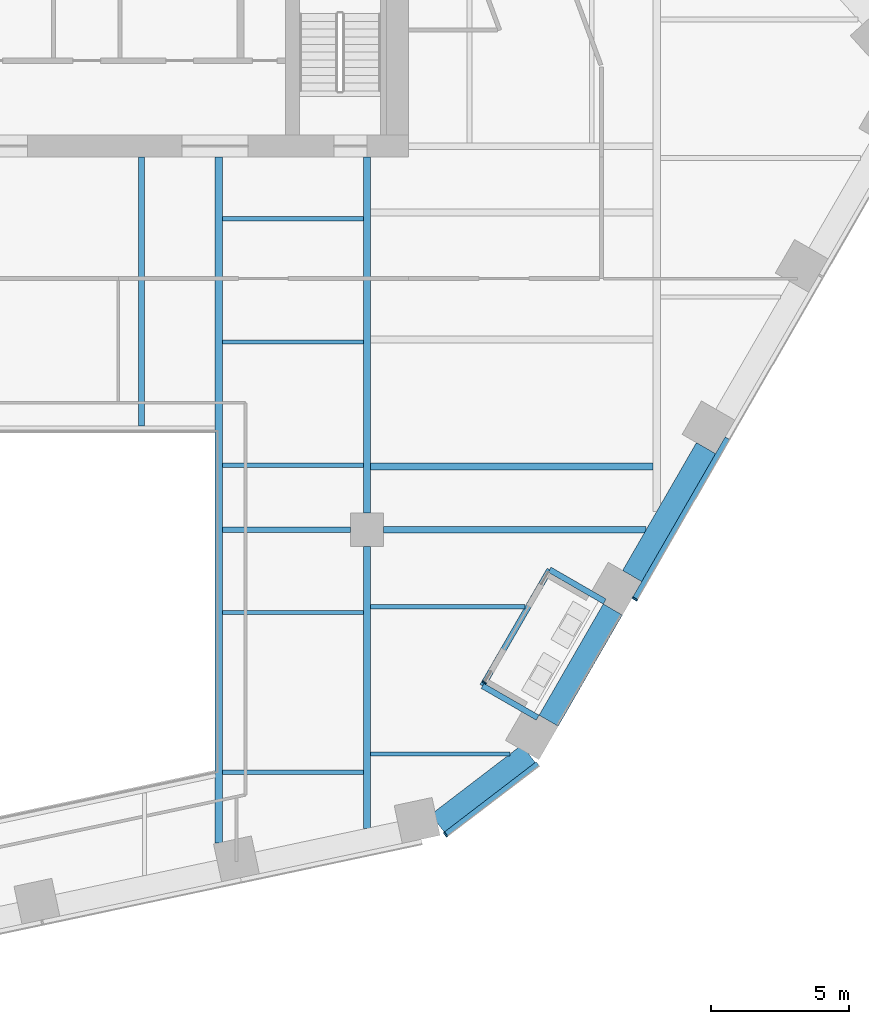
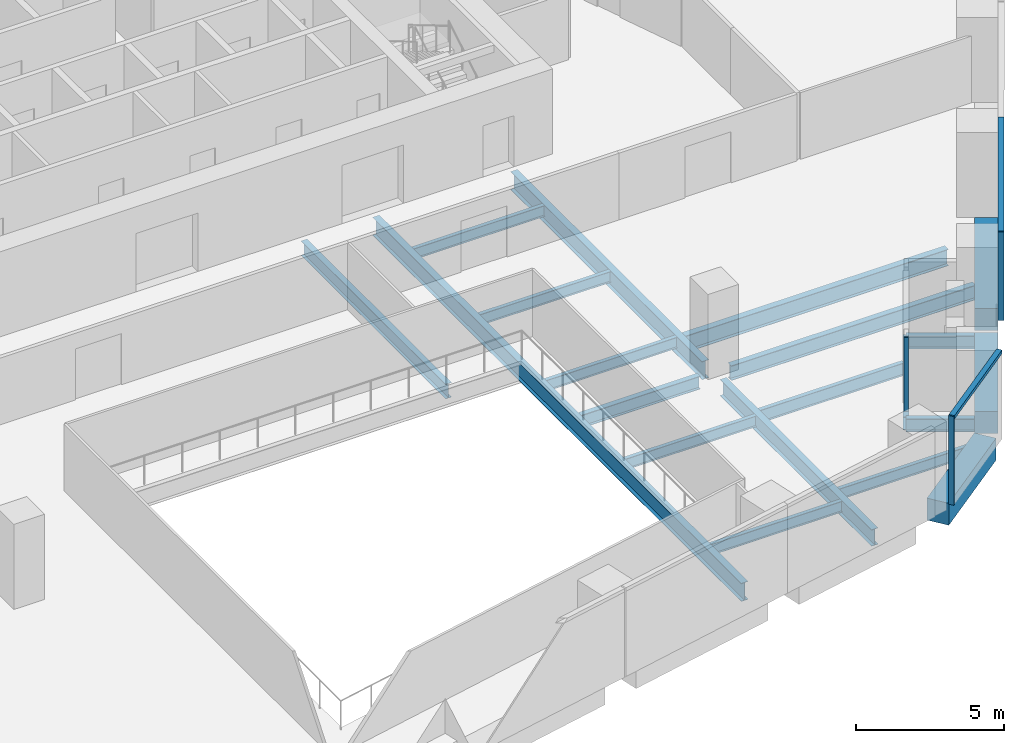
# One storey, part 5 of 24: 20 beams, 5 members, 3 elements without a shape of their own.
"""IFC4 building model written with IfcOpenShell, lengths in metres."""

from ifc_helpers import new_model, si_unit, direction, frame, origin, origin_2d, place, context, subcontext, project, spatial, rectangle, i_section, extrude, material, layer, layer_set, material_profile, profile_set, type_object, element, aggregate, save


model = new_model("IFC4")

# Units and contexts
model_context = context("Model", 3, precision=1e-05, world=origin(), true_north=direction((0.0, 1.0)))
body_context = subcontext(model_context, "Body", "Model", "MODEL_VIEW")
ifc_project = project(units=[si_unit("LENGTHUNIT", "METRE"), si_unit("AREAUNIT", "SQUARE_METRE"), si_unit("VOLUMEUNIT", "CUBIC_METRE"), si_unit("PLANEANGLEUNIT", "RADIAN"), si_unit("MASSUNIT", "GRAM", prefix="KILO")], contexts=[model_context])

# Site, building, storey
site_placement = place(None, origin())
site = spatial("IfcSite", under=ifc_project, at=site_placement, CompositionType="ELEMENT")
building_placement = place(site_placement, origin())
building = spatial("IfcBuilding", under=site, at=building_placement, Name="Isthmus Gate Tower", CompositionType="ELEMENT")
storey_placement = place(building_placement, frame((0.0, 0.0, 159.0)))
storey = spatial("IfcBuildingStorey", under=building, at=storey_placement, Name="L39", CompositionType="ELEMENT", Elevation=159.0)

# Curtain wall, member
ifc_material_1 = material(Name="Aluminium, pale champagne anodised", Category="aluminium")
ifc_layer_1 = layer(ifc_material_1, 0.199951171875)
ifc_layer_set_1 = layer_set([ifc_layer_1], Name="CW-1 UNITISED CURTAIN WALL 200 DEEP")
curtain_wall_type_1 = type_object("IfcCurtainWallType", Name="CW-1 UNITISED CURTAIN WALL 200 DEEP", PredefinedType="NOTDEFINED", material=ifc_layer_set_1)
curtain_wall_1_placement = place(storey_placement, origin())
curtain_wall_1 = element("IfcCurtainWall", 1, at=curtain_wall_1_placement, inside=storey, type_object=curtain_wall_type_1, Name="CW-1 S-SE L39", PredefinedType="NOTDEFINED")
ifc_material_2 = material(Name="Aluminium, pale champagne anodised", Category="aluminium")
ifc_material_profile_1 = material_profile(ifc_material_2, rectangle(XDim=0.06005859375, YDim=0.199951171875, at=origin_2d()), Name="60x200")
ifc_profile_set_1 = profile_set([ifc_material_profile_1], Name="Aluminium, pale champagne anodised")
member_type_1 = type_object("IfcMemberType", Name="CW-1 MULLION 60 X 200", PredefinedType="MULLION", material=ifc_profile_set_1)
member_1_placement = place(storey_placement, frame((16.346435546875, -24.5419921875, 0.0), z_axis=(0.0, 0.0, 1.0), x_axis=(0.794188594387, 0.607671355706, 0.0)))
member_1 = element("IfcMember", 2, at=member_1_placement, type_object=member_type_1, Name="CW-1 mullion", PredefinedType="MULLION", context=body_context, shape_type="SweptSolid", body=[
    extrude(rectangle(XDim=0.06005859375, YDim=0.199951171875, at=origin_2d()), origin(), (0.0, 0.0, 1.0), 3.64990234375),
])

curtain_wall_2_placement = place(storey_placement, origin())
curtain_wall_2 = element("IfcCurtainWall", 3, at=curtain_wall_2_placement, inside=storey, type_object=curtain_wall_type_1, Name="CW-1 SE L39", PredefinedType="NOTDEFINED")
member_2_placement = place(storey_placement, frame((23.2060546875, -16.005859375, 0.0), z_axis=(0.0, 0.0, 1.0), x_axis=(0.5, 0.866025403784, 0.0)))
member_2 = element("IfcMember", 4, at=member_2_placement, type_object=member_type_1, Name="CW-1 mullion", PredefinedType="MULLION", context=body_context, shape_type="SweptSolid", body=[
    extrude(rectangle(XDim=0.06005859375, YDim=0.199951171875, at=origin_2d()), origin(), (0.0, 0.0, 1.0), 3.64990234375),
])

# Member
ifc_material_3 = material(Name="Aluminium, pale champagne anodised", Category="aluminium")
ifc_material_profile_2 = material_profile(ifc_material_3, rectangle(XDim=0.199951171875, YDim=0.139892578125, at=origin_2d()), Name="200x140")
ifc_profile_set_2 = profile_set([ifc_material_profile_2], Name="Aluminium, pale champagne anodised")
member_type_2 = type_object("IfcMemberType", Name="CW-1 TRANSOM 200 X 140", PredefinedType="USERDEFINED", material=ifc_profile_set_2)
member_3_placement = place(storey_placement, frame((16.3701171875, -24.52392578125, 3.580078125), z_axis=(0.79419705805, 0.607660294066, 0.0), x_axis=(-0.607660294066, 0.79419705805, 0.0)))
member_3 = element("IfcMember", 5, at=member_3_placement, type_object=member_type_2, Name="CW-1 transom", ObjectType="TRANSOM", PredefinedType="USERDEFINED", context=body_context, shape_type="SweptSolid", body=[
    extrude(rectangle(XDim=0.199951171875, YDim=0.139892578125, at=origin_2d()), origin(), (0.0, 0.0, 1.0), 4.181640625),
])

aggregate(curtain_wall_1, [member_1, member_3])

member_4_placement = place(storey_placement, frame((23.22119140625, -15.97998046875, 3.580078125), z_axis=(0.499981482168, 0.866036094796, 0.0), x_axis=(-0.866036094796, 0.499981482168, 0.0)))
member_4 = element("IfcMember", 6, at=member_4_placement, type_object=member_type_2, Name="CW-1 transom", ObjectType="TRANSOM", PredefinedType="USERDEFINED", context=body_context, shape_type="SweptSolid", body=[
    extrude(rectangle(XDim=0.199951171875, YDim=0.139892578125, at=origin_2d()), origin(), (0.0, 0.0, 1.0), 6.690185546875),
])

aggregate(curtain_wall_2, [member_2, member_4])

# Curtain wall, member
ifc_material_4 = material(Name="Aluminium, pale champagne anodised", Category="aluminium")
ifc_layer_2 = layer(ifc_material_4, 0.14990234375)
ifc_layer_set_2 = layer_set([ifc_layer_2], Name="CW-6 LOGGIA BACK WALL GLAZING 150 DEEP")
curtain_wall_type_2 = type_object("IfcCurtainWallType", Name="CW-6 LOGGIA BACK WALL GLAZING 150 DEEP", PredefinedType="NOTDEFINED", material=ifc_layer_set_2)
curtain_wall_3_placement = place(storey_placement, origin())
curtain_wall_3 = element("IfcCurtainWall", 7, at=curtain_wall_3_placement, inside=storey, type_object=curtain_wall_type_2, Name="CW-6 SE L39", PredefinedType="NOTDEFINED")
ifc_material_5 = material(Name="Aluminium, pale champagne anodised", Category="aluminium")
ifc_material_profile_3 = material_profile(ifc_material_5, rectangle(XDim=0.06005859375, YDim=0.14990234375, at=origin_2d()), Name="60x150")
ifc_profile_set_3 = profile_set([ifc_material_profile_3], Name="Aluminium, pale champagne anodised")
member_type_3 = type_object("IfcMemberType", Name="CW-6 MULLION 60 X 150", PredefinedType="MULLION", material=ifc_profile_set_3)
member_5_placement = place(storey_placement, frame((17.759765625, -19.039306640625, 0.0), z_axis=(0.0, 0.0, 1.0), x_axis=(0.5, 0.866025403784, 0.0)))
member_5 = element("IfcMember", 8, at=member_5_placement, type_object=member_type_3, Name="CW-6 mullion", PredefinedType="MULLION", context=body_context, shape_type="SweptSolid", body=[
    extrude(rectangle(XDim=0.06005859375, YDim=0.14990234375, at=origin_2d()), origin(), (0.0, 0.0, 1.0), 3.050048828125),
])
aggregate(curtain_wall_3, [member_5])

# Beams
ifc_material_6 = material(Name="Concrete f'c 60 MPa", Category="concrete")
ifc_material_profile_4 = material_profile(ifc_material_6, rectangle(XDim=0.800048828125, YDim=0.89990234375, at=origin_2d()), Name="RC 800X900")
ifc_profile_set_4 = profile_set([ifc_material_profile_4], Name="Concrete f'c 60 MPa")
beam_type_1 = type_object("IfcBeamType", Name="RC SPANDREL 800 X 900", PredefinedType="SPANDREL", material=ifc_profile_set_4)
beam_1_placement = place(storey_placement, frame((25.783203125, -10.542236328125, -0.449951171875), z_axis=(-0.500001594578, -0.866024483152, 0.0), x_axis=(0.866024483152, -0.500001594578, 0.0)))
element("IfcBeam", 9, at=beam_1_placement, inside=storey, type_object=beam_type_1, Name="str-spandrel-L39-08", PredefinedType="SPANDREL", context=body_context, shape_type="SweptSolid", body=[
    extrude(rectangle(XDim=0.800048828125, YDim=0.89990234375, at=origin_2d()), origin(), (0.0, 0.0, 1.0), 5.35009765625),
])
beam_2_placement = place(storey_placement, frame((22.408203125, -16.387939453125, -0.449951171875), z_axis=(-0.500001179632, -0.866024722723, 0.0), x_axis=(0.866024722723, -0.500001179632, 0.0)))
element("IfcBeam", 10, at=beam_2_placement, inside=storey, type_object=beam_type_1, Name="str-spandrel-L39-09", PredefinedType="SPANDREL", context=body_context, shape_type="SweptSolid", body=[
    extrude(rectangle(XDim=0.800048828125, YDim=0.89990234375, at=origin_2d()), origin(), (0.0, 0.0, 1.0), 4.650390625),
])
beam_3_placement = place(storey_placement, frame((19.354248046875, -21.611083984375, -0.449951171875), z_axis=(-0.794205941875, -0.607648682949, 0.0), x_axis=(0.607648682949, -0.794205941875, 0.0)))
element("IfcBeam", 11, at=beam_3_placement, inside=storey, type_object=beam_type_1, Name="str-spandrel-L39-10", PredefinedType="SPANDREL", context=body_context, shape_type="SweptSolid", body=[
    extrude(rectangle(XDim=0.800048828125, YDim=0.89990234375, at=origin_2d()), origin(), (0.0, 0.0, 1.0), 4.15234375),
])
ifc_material_7 = material(Name="Structural steel ASTM A992 Gr 50", Category="steel")
ifc_material_profile_5 = material_profile(ifc_material_7, i_section(OverallWidth=0.15234375, OverallDepth=0.45068359375, WebThickness=0.0078125, FlangeThickness=0.010986328125, at=origin_2d()), Name="W18X35")
ifc_profile_set_5 = profile_set([ifc_material_profile_5], Name="Structural steel ASTM A992 Gr 50")
beam_type_2 = type_object("IfcBeamType", Name="STEEL FLOOR BEAM W18X35", PredefinedType="JOIST", material=ifc_profile_set_5)
for number, where, z_axis, x_axis, name in (
    (12, (8.263427734375, -22.283203125, -0.37548828125), (1.0, 0.0, 0.0), (0.0, 1.0, 0.0), "str-beam-L39-12-00"),
    (13, (8.263427734375, -16.49755859375, -0.37548828125), (1.0, 0.0, 0.0), (0.0, 1.0, 0.0), "str-beam-L39-12-01"),
):
    element("IfcBeam", number, at=place(storey_placement, frame(where, z_axis=z_axis, x_axis=x_axis)), inside=storey, type_object=beam_type_2, Name=name, PredefinedType="JOIST", context=body_context, shape_type="SweptSolid", body=[
        extrude(i_section(OverallWidth=0.15234375, OverallDepth=0.45068359375, WebThickness=0.0078125, FlangeThickness=0.010986328125, at=origin_2d()), origin(), (0.0, 0.0, 1.0), 5.109619140625),
    ])
for number, where, z_axis, x_axis, name in (
    (14, (8.263427734375, -11.16259765625, -0.37548828125), (1.0, 0.0, 0.0), (0.0, 1.0, 0.0), "str-beam-L39-13-00"),
    (15, (8.263427734375, -6.697509765625, -0.37548828125), (1.0, 0.0, 0.0), (0.0, 1.0, 0.0), "str-beam-L39-13-01"),
    (16, (8.263427734375, -2.232421875, -0.37548828125), (1.0, 0.0, 0.0), (0.0, 1.0, 0.0), "str-beam-L39-13-02"),
):
    element("IfcBeam", number, at=place(storey_placement, frame(where, z_axis=z_axis, x_axis=x_axis)), inside=storey, type_object=beam_type_2, Name=name, PredefinedType="JOIST", context=body_context, shape_type="SweptSolid", body=[
        extrude(i_section(OverallWidth=0.15234375, OverallDepth=0.45068359375, WebThickness=0.0078125, FlangeThickness=0.010986328125, at=origin_2d()), origin(), (0.0, 0.0, 1.0), 5.104736328125),
    ])
beam_4_placement = place(storey_placement, frame((13.626953125, -21.61767578125, -0.37548828125), z_axis=(1.0, 0.0, 0.0), x_axis=(0.0, 1.0, 0.0)))
element("IfcBeam", 17, at=beam_4_placement, inside=storey, type_object=beam_type_2, Name="str-beam-L39-14-00", PredefinedType="JOIST", context=body_context, shape_type="SweptSolid", body=[
    extrude(i_section(OverallWidth=0.15234375, OverallDepth=0.45068359375, WebThickness=0.0078125, FlangeThickness=0.010986328125, at=origin_2d()), origin(), (0.0, 0.0, 1.0), 5.060302734375),
])
ifc_material_8 = material(Name="Structural steel ASTM A992 Gr 50", Category="steel")
ifc_material_profile_6 = material_profile(ifc_material_8, i_section(OverallWidth=0.1650390625, OverallDepth=0.52392578125, WebThickness=0.009521484375, FlangeThickness=0.010986328125, at=origin_2d()), Name="W21X44")
ifc_profile_set_6 = profile_set([ifc_material_profile_6], Name="Structural steel ASTM A992 Gr 50")
beam_type_3 = type_object("IfcBeamType", Name="STEEL FLOOR BEAM W21X44", PredefinedType="JOIST", material=ifc_profile_set_6)
beam_5_placement = place(storey_placement, frame((13.626953125, -16.2822265625, -0.411865234375), z_axis=(1.0, 0.0, 0.0), x_axis=(0.0, 1.0, 0.0)))
element("IfcBeam", 18, at=beam_5_placement, inside=storey, type_object=beam_type_3, Name="str-beam-L39-14-01", PredefinedType="JOIST", context=body_context, shape_type="SweptSolid", body=[
    extrude(i_section(OverallWidth=0.1650390625, OverallDepth=0.52392578125, WebThickness=0.009521484375, FlangeThickness=0.010986328125, at=origin_2d()), origin(), (0.0, 0.0, 1.0), 5.59814453125),
])
ifc_material_9 = material(Name="Structural steel ASTM A992 Gr 50", Category="steel")
ifc_material_profile_7 = material_profile(ifc_material_9, i_section(OverallWidth=0.228515625, OverallDepth=0.603271484375, WebThickness=0.010986328125, FlangeThickness=0.014404296875, at=origin_2d()), Name="W24X68")
ifc_profile_set_7 = profile_set([ifc_material_profile_7], Name="Structural steel ASTM A992 Gr 50")
beam_type_4 = type_object("IfcBeamType", Name="STEEL FLOOR BEAM W24X68", PredefinedType="JOIST", material=ifc_profile_set_7)
beam_6_placement = place(storey_placement, frame((5.333251953125, -9.7333984375, -0.45166015625), z_axis=(0.0, 1.0, 0.0), x_axis=(-1.0, 0.0, 0.0)))
element("IfcBeam", 19, at=beam_6_placement, inside=storey, type_object=beam_type_4, Name="str-beam-L39-08-02", PredefinedType="JOIST", context=body_context, shape_type="SweptSolid", body=[
    extrude(i_section(OverallWidth=0.228515625, OverallDepth=0.603271484375, WebThickness=0.010986328125, FlangeThickness=0.014404296875, at=origin_2d()), origin(), (0.0, 0.0, 1.0), 9.7333984375),
])
ifc_material_10 = material(Name="Structural steel ASTM A992 Gr 50", Category="steel")
ifc_material_profile_8 = material_profile(ifc_material_10, i_section(OverallWidth=0.25390625, OverallDepth=0.679443359375, WebThickness=0.010986328125, FlangeThickness=0.015869140625, at=origin_2d()), Name="W27X84")
ifc_profile_set_8 = profile_set([ifc_material_profile_8], Name="Structural steel ASTM A992 Gr 50")
beam_type_5 = type_object("IfcBeamType", Name="STEEL FLOOR BEAM W27X84", PredefinedType="JOIST", material=ifc_profile_set_8)
beam_7_placement = place(storey_placement, frame((13.6318359375, -11.202392578125, -0.48974609375), z_axis=(1.0, 0.0, 0.0), x_axis=(0.0, 1.0, 0.0)))
element("IfcBeam", 20, at=beam_7_placement, inside=storey, type_object=beam_type_5, Name="str-beam-L39-15-00", PredefinedType="JOIST", context=body_context, shape_type="SweptSolid", body=[
    extrude(i_section(OverallWidth=0.25390625, OverallDepth=0.679443359375, WebThickness=0.010986328125, FlangeThickness=0.015869140625, at=origin_2d()), origin(), (0.0, 0.0, 1.0), 10.23486328125),
])
ifc_material_11 = material(Name="Structural steel ASTM A992 Gr 50", Category="steel")
ifc_material_profile_9 = material_profile(ifc_material_11, i_section(OverallWidth=0.20947265625, OverallDepth=0.533447265625, WebThickness=0.009521484375, FlangeThickness=0.015869140625, at=origin_2d()), Name="W21X62")
ifc_profile_set_9 = profile_set([ifc_material_profile_9], Name="Structural steel ASTM A992 Gr 50")
beam_type_6 = type_object("IfcBeamType", Name="STEEL GIRDER W21X62", PredefinedType="BEAM", material=ifc_profile_set_9)
beam_8_placement = place(storey_placement, frame((8.263427734375, -13.5, -0.416748046875), z_axis=(1.0, 0.0, 0.0), x_axis=(0.0, 1.0, 0.0)))
element("IfcBeam", 21, at=beam_8_placement, inside=storey, type_object=beam_type_6, Name="str-girder-L39-03", PredefinedType="BEAM", context=body_context, shape_type="SweptSolid", body=[
    extrude(i_section(OverallWidth=0.20947265625, OverallDepth=0.533447265625, WebThickness=0.009521484375, FlangeThickness=0.015869140625, at=origin_2d()), origin(), (0.0, 0.0, 1.0), 4.636474609375),
])
ifc_material_12 = material(Name="Structural steel ASTM A992 Gr 50", Category="steel")
ifc_material_profile_10 = material_profile(ifc_material_12, i_section(OverallWidth=0.228515625, OverallDepth=0.6064453125, WebThickness=0.010986328125, FlangeThickness=0.017578125, at=origin_2d()), Name="W24X76")
ifc_profile_set_10 = profile_set([ifc_material_profile_10], Name="Structural steel ASTM A992 Gr 50")
beam_type_7 = type_object("IfcBeamType", Name="STEEL GIRDER W24X76", PredefinedType="BEAM", material=ifc_profile_set_10)
beam_9_placement = place(storey_placement, frame((14.10009765625, -13.5, -0.453125), z_axis=(1.0, 0.0, 0.0), x_axis=(0.0, 1.0, 0.0)))
element("IfcBeam", 22, at=beam_9_placement, inside=storey, type_object=beam_type_7, Name="str-girder-L39-04", PredefinedType="BEAM", context=body_context, shape_type="SweptSolid", body=[
    extrude(i_section(OverallWidth=0.228515625, OverallDepth=0.6064453125, WebThickness=0.010986328125, FlangeThickness=0.017578125, at=origin_2d()), origin(), (0.0, 0.0, 1.0), 9.513427734375),
])
ifc_material_13 = material(Name="Structural steel ASTM A992 Gr 50", Category="steel")
ifc_material_profile_11 = material_profile(ifc_material_13, i_section(OverallWidth=0.25390625, OverallDepth=0.679443359375, WebThickness=0.010986328125, FlangeThickness=0.015869140625, at=origin_2d()), Name="W27X84")
ifc_profile_set_11 = profile_set([ifc_material_profile_11], Name="Structural steel ASTM A992 Gr 50")
beam_type_8 = type_object("IfcBeamType", Name="STEEL GIRDER W27X84", PredefinedType="BEAM", material=ifc_profile_set_11)
beam_10_placement = place(storey_placement, frame((13.5, -24.3125, -0.48974609375), z_axis=(0.0, 1.0, 0.0), x_axis=(-1.0, 0.0, 0.0)))
element("IfcBeam", 23, at=beam_10_placement, inside=storey, type_object=beam_type_8, Name="str-girder-L39-09", PredefinedType="BEAM", context=body_context, shape_type="SweptSolid", body=[
    extrude(i_section(OverallWidth=0.25390625, OverallDepth=0.679443359375, WebThickness=0.010986328125, FlangeThickness=0.015869140625, at=origin_2d()), origin(), (0.0, 0.0, 1.0), 10.21240234375),
])
ifc_material_14 = material(Name="Structural steel ASTM A992 Gr 50", Category="steel")
ifc_material_profile_12 = material_profile(ifc_material_14, i_section(OverallWidth=0.263427734375, OverallDepth=0.749267578125, WebThickness=0.0126953125, FlangeThickness=0.015869140625, at=origin_2d()), Name="W30X90")
ifc_profile_set_12 = profile_set([ifc_material_profile_12], Name="Structural steel ASTM A992 Gr 50")
beam_type_9 = type_object("IfcBeamType", Name="STEEL GIRDER W30X90", PredefinedType="BEAM", material=ifc_profile_set_12)
beam_11_placement = place(storey_placement, frame((13.5, -12.89990234375, -0.524658203125), z_axis=(0.0, 1.0, 0.0), x_axis=(-1.0, 0.0, 0.0)))
element("IfcBeam", 24, at=beam_11_placement, inside=storey, type_object=beam_type_9, Name="str-girder-L39-10", PredefinedType="BEAM", context=body_context, shape_type="SweptSolid", body=[
    extrude(i_section(OverallWidth=0.263427734375, OverallDepth=0.749267578125, WebThickness=0.0126953125, FlangeThickness=0.015869140625, at=origin_2d()), origin(), (0.0, 0.0, 1.0), 12.89990234375),
])
ifc_material_15 = material(Name="Structural steel ASTM A992 Gr 50", Category="steel")
ifc_material_profile_13 = material_profile(ifc_material_15, i_section(OverallWidth=0.20947265625, OverallDepth=0.533447265625, WebThickness=0.009521484375, FlangeThickness=0.015869140625, at=origin_2d()), Name="W21X62")
ifc_profile_set_13 = profile_set([ifc_material_profile_13], Name="Structural steel ASTM A992 Gr 50")
beam_type_10 = type_object("IfcBeamType", Name="STEEL TRIMMER W21X62", PredefinedType="BEAM", material=ifc_profile_set_13)
beam_12_placement = place(storey_placement, frame((17.688232421875, -19.153564453125, -0.416748046875), z_axis=(0.500023965831, 0.866011566663, 0.0), x_axis=(-0.866011566663, 0.500023965831, 0.0)))
element("IfcBeam", 25, at=beam_12_placement, inside=storey, type_object=beam_type_10, Name="str-loggiatrim-L39-04-B", PredefinedType="BEAM", context=body_context, shape_type="SweptSolid", body=[
    extrude(i_section(OverallWidth=0.20947265625, OverallDepth=0.533447265625, WebThickness=0.009521484375, FlangeThickness=0.015869140625, at=origin_2d()), origin(), (0.0, 0.0, 1.0), 4.859619140625),
])
beam_13_placement = place(storey_placement, frame((19.684326171875, -20.305908203125, -0.416748046875), z_axis=(-0.866044474677, 0.49996696679, 0.0), x_axis=(-0.49996696679, -0.866044474677, 0.0)))
element("IfcBeam", 26, at=beam_13_placement, inside=storey, type_object=beam_type_10, Name="str-loggiatrim-L39-04-A", PredefinedType="BEAM", context=body_context, shape_type="SweptSolid", body=[
    extrude(i_section(OverallWidth=0.20947265625, OverallDepth=0.533447265625, WebThickness=0.009521484375, FlangeThickness=0.015869140625, at=origin_2d()), origin(), (0.0, 0.0, 1.0), 2.304931640625),
])
beam_14_placement = place(storey_placement, frame((22.114013671875, -16.097412109375, -0.416748046875), z_axis=(-0.866017993231, 0.500012835235, 0.0), x_axis=(-0.500012835235, -0.866017993231, 0.0)))
element("IfcBeam", 27, at=beam_14_placement, inside=storey, type_object=beam_type_10, Name="str-loggiatrim-L39-04-C", PredefinedType="BEAM", context=body_context, shape_type="SweptSolid", body=[
    extrude(i_section(OverallWidth=0.20947265625, OverallDepth=0.533447265625, WebThickness=0.009521484375, FlangeThickness=0.015869140625, at=origin_2d()), origin(), (0.0, 0.0, 1.0), 2.3046875),
])
ifc_material_16 = material(Name="Structural steel ASTM A992 Gr 50", Category="steel")
ifc_material_profile_14 = material_profile(ifc_material_16, i_section(OverallWidth=0.263427734375, OverallDepth=0.749267578125, WebThickness=0.0126953125, FlangeThickness=0.015869140625, at=origin_2d()), Name="W30X90")
ifc_profile_set_14 = profile_set([ifc_material_profile_14], Name="Structural steel ASTM A992 Gr 50")
beam_type_11 = type_object("IfcBeamType", Name="STEEL TRIMMER W30X90", PredefinedType="BEAM", material=ifc_profile_set_14)
beam_15_placement = place(storey_placement, frame((8.1318359375, -24.84033203125, -0.524658203125), z_axis=(0.0, 1.0, 0.0), x_axis=(-1.0, 0.0, 0.0)))
element("IfcBeam", 28, at=beam_15_placement, inside=storey, type_object=beam_type_11, Name="str-trimmer-L39-01", PredefinedType="BEAM", context=body_context, shape_type="SweptSolid", body=[
    extrude(i_section(OverallWidth=0.263427734375, OverallDepth=0.749267578125, WebThickness=0.0126953125, FlangeThickness=0.015869140625, at=origin_2d()), origin(), (0.0, 0.0, 1.0), 24.84033203125),
])

save(model, "model.ifc")
